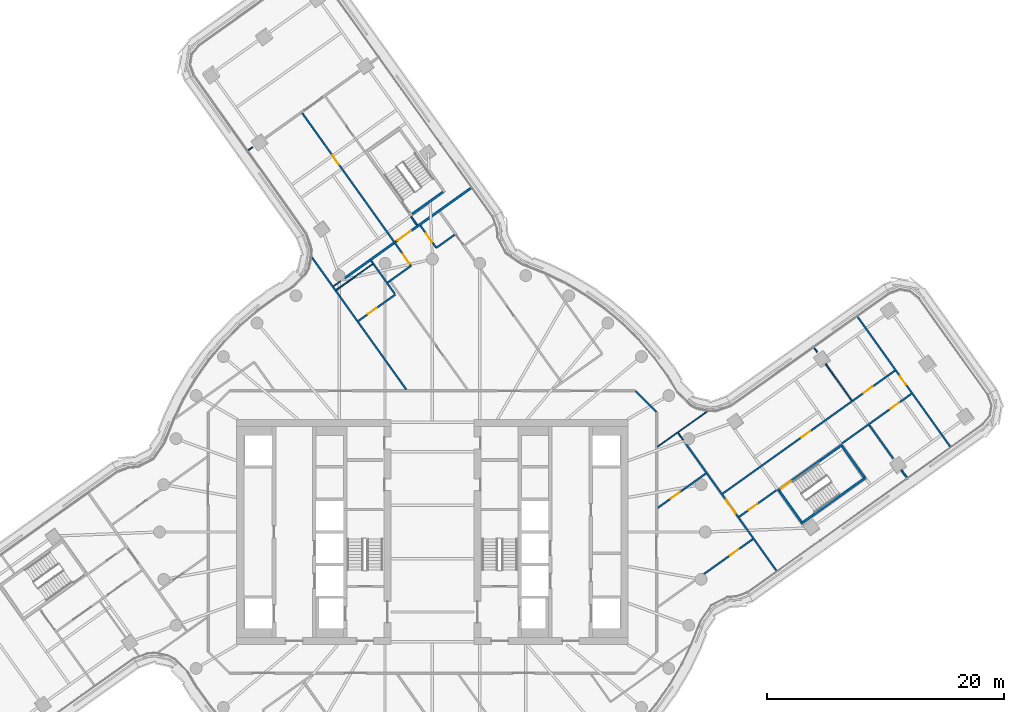
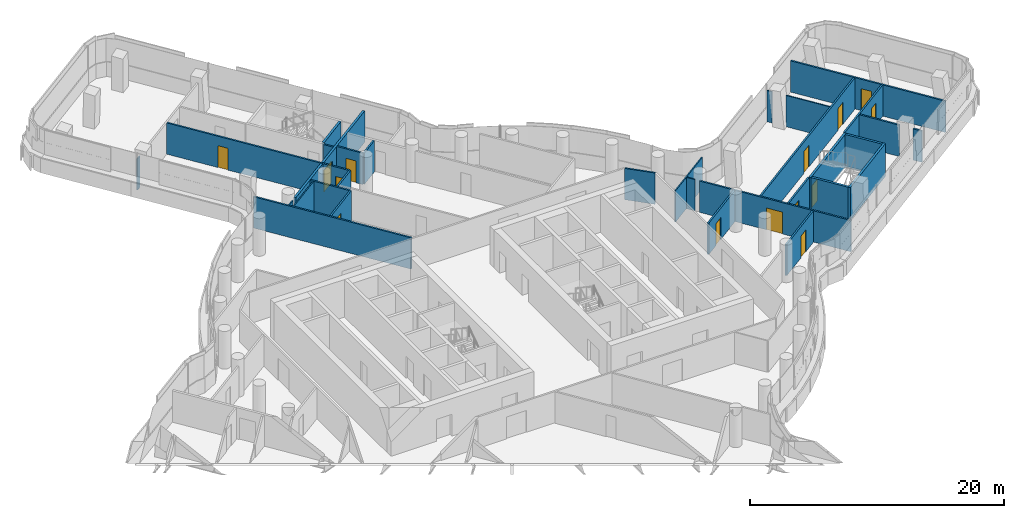
# One storey, part 22 of 31: 31 walls, 14 doors, 14 openings.
"""IFC4 building model written with IfcOpenShell, lengths in metres."""

from ifc_helpers import new_model, si_unit, direction, frame, frame_2d, origin, place, context, subcontext, project, spatial, polyline, rectangle, outline, extrude, material, layer, layer_set, type_object, element, fill, save


model = new_model("IFC4")

# Units and contexts
model_context = context("Model", 3, precision=1e-05, world=origin(), true_north=direction((0.0, 1.0)))
body_context = subcontext(model_context, "Body", "Model", "MODEL_VIEW")
ifc_project = project(units=[si_unit("LENGTHUNIT", "METRE"), si_unit("AREAUNIT", "SQUARE_METRE"), si_unit("VOLUMEUNIT", "CUBIC_METRE"), si_unit("PLANEANGLEUNIT", "RADIAN"), si_unit("MASSUNIT", "GRAM", prefix="KILO")], contexts=[model_context])

# Site, building, storey
site_placement = place(None, origin())
site = spatial("IfcSite", under=ifc_project, at=site_placement, CompositionType="ELEMENT")
building_placement = place(site_placement, origin())
building = spatial("IfcBuilding", under=site, at=building_placement, Name="Tamarind Cross Interchange Tower", CompositionType="ELEMENT")
storey_placement = place(building_placement, frame((0.0, 0.0, 163.0)))
storey = spatial("IfcBuildingStorey", under=building, at=storey_placement, Name="L40", CompositionType="ELEMENT", Elevation=163.0)

# Walls
ifc_material_1 = material(Name="Gypsum board partition on steel studs", Category="steel")
ifc_layer_1 = layer(ifc_material_1, 0.10009765625)
ifc_layer_set_1 = layer_set([ifc_layer_1], Name="Gypsum board partition on steel studs")
wall_type_1 = type_object("IfcWallType", Name="Partition 100 mm EI 90", PredefinedType="PARTITIONING", material=ifc_layer_set_1)
wall_1_placement = place(storey_placement, frame((20.7060546875, 8.352294921875, 0.0), z_axis=(0.0, 0.0, 1.0), x_axis=(0.58101820206, -0.813890563206, 0.0)))
element("IfcWall", 1, at=wall_1_placement, inside=storey, type_object=wall_type_1, Name="Partition L40-027", PredefinedType="PARTITIONING", context=body_context, shape_type="SweptSolid", body=[
    extrude(rectangle(XDim=0.73486328125, YDim=0.10009765625, at=frame_2d((0.367431640625, 0.0))), origin(), (0.0, 0.0, 1.0), 3.010009765625),
])
wall_2_placement = place(storey_placement, frame((32.177734375, 15.51904296875, 0.0), z_axis=(0.0, 0.0, 1.0), x_axis=(0.580983730489, -0.813915170584, 0.0)))
element("IfcWall", 2, at=wall_2_placement, inside=storey, type_object=wall_type_1, Name="Partition L40-029", PredefinedType="PARTITIONING", context=body_context, shape_type="SweptSolid", body=[
    extrude(rectangle(XDim=0.453857421875, YDim=0.10009765625, at=frame_2d((0.22705078125, 0.0))), origin(), (0.0, 0.0, 1.0), 3.010009765625),
])
wall_3_placement = place(storey_placement, frame((33.135498046875, 14.17724609375, 0.0), z_axis=(0.0, 0.0, 1.0), x_axis=(0.581018985174, -0.813890004157, 0.0)))
element("IfcWall", 3, at=wall_3_placement, inside=storey, type_object=wall_type_1, Name="Partition L40-030", PredefinedType="PARTITIONING", context=body_context, shape_type="SweptSolid", body=[
    extrude(rectangle(XDim=3.79296875, YDim=0.10009765625, at=frame_2d((1.896484375, 0.0))), origin(), (0.0, 0.0, 1.0), 3.010009765625),
])
wall_4_placement = place(storey_placement, frame((-15.51904296875, 32.177734375, 0.0), z_axis=(0.0, 0.0, 1.0), x_axis=(0.813915170584, 0.580983730489, 0.0)))
element("IfcWall", 4, at=wall_4_placement, inside=storey, type_object=wall_type_1, Name="Partition L40-049", PredefinedType="PARTITIONING", context=body_context, shape_type="SweptSolid", body=[
    extrude(rectangle(XDim=0.453857421875, YDim=0.10009765625, at=frame_2d((0.22705078125, 0.0))), origin(), (0.0, 0.0, 1.0), 3.010009765625),
])
wall_5_placement = place(storey_placement, frame((-8.10009765625, 20.39453125, 0.0), z_axis=(0.0, 0.0, 1.0), x_axis=(0.813865417851, 0.581053424072, 0.0)))
element("IfcWall", 5, at=wall_5_placement, inside=storey, type_object=wall_type_1, Name="Partition L40-052", PredefinedType="PARTITIONING", context=body_context, shape_type="SweptSolid", body=[
    extrude(rectangle(XDim=3.75, YDim=0.10009765625, at=frame_2d((1.875, 0.0))), origin(), (0.0, 0.0, 1.0), 3.010009765625),
])
wall_6_placement = place(storey_placement, frame((-8.331298828125, 20.7197265625, 0.0), z_axis=(0.0, 0.0, 1.0), x_axis=(0.813733471207, 0.581238193719, 0.0)))
element("IfcWall", 6, at=wall_6_placement, inside=storey, type_object=wall_type_1, Name="Partition L40-055", PredefinedType="PARTITIONING", context=body_context, shape_type="SweptSolid", body=[
    extrude(rectangle(XDim=0.7119140625, YDim=0.10009765625, at=frame_2d((0.35595703125, 0.0))), origin(), (0.0, 0.0, 1.0), 3.010009765625),
])
wall_7_placement = place(storey_placement, frame((18.985595703125, 7.18603515625, 0.0), z_axis=(0.0, 0.0, 1.0), x_axis=(0.814008739191, 0.580852625474, 0.0)))
element("IfcWall", 7, at=wall_7_placement, inside=storey, type_object=wall_type_1, Name="Partition L40-071", PredefinedType="PARTITIONING", context=body_context, shape_type="SweptSolid", body=[
    extrude(rectangle(XDim=5.092041015625, YDim=0.10009765625, at=frame_2d((2.5458984375, 0.0))), origin(), (0.0, 0.0, 1.0), 3.010009765625),
])

# Wall, openings, doors
ifc_layer_2 = layer(ifc_material_1, 0.14990234375)
ifc_layer_set_2 = layer_set([ifc_layer_2], Name="Gypsum board partition on steel studs")
wall_type_2 = type_object("IfcWallType", Name="Partition 150 mm EI 120", PredefinedType="PARTITIONING", material=ifc_layer_set_2)
wall_8_placement = place(storey_placement, frame((-10.982421875, 35.31787109375, 0.0), z_axis=(0.0, 0.0, 1.0), x_axis=(0.581048167979, -0.813869170376, 0.0)))
wall_8 = element("IfcWall", 8, at=wall_8_placement, inside=storey, type_object=wall_type_2, Name="Partition L40-009", PredefinedType="PARTITIONING", context=body_context, shape_type="SweptSolid", body=[
    extrude(rectangle(XDim=15.800537109375, YDim=0.14990234375, at=frame_2d((7.900390625, 0.0))), origin(), (0.0, 0.0, 1.0), 3.010009765625),
])
opening_1_placement = place(wall_8_placement, frame((14.62060546875, 0.0, 0.0)))
opening_1 = element("IfcOpeningElement", 9, at=opening_1_placement, cuts=wall_8, Name="Opening D03", PredefinedType="OPENING", context=body_context, shape_type="SweptSolid", body=[
    extrude(rectangle(XDim=1.0, YDim=2.10009765625, at=frame_2d((0.5, 1.050048828125))), frame((0.0, 0.0849609375, 0.0), z_axis=(0.0, -1.0, 0.0), x_axis=(1.0, 0.0, 0.0)), (0.0, 0.0, 1.0), 0.169921875),
])
opening_2_placement = place(wall_8_placement, frame((4.419921875, 0.0, 0.0)))
opening_2 = element("IfcOpeningElement", 10, at=opening_2_placement, cuts=wall_8, Name="Opening D04", PredefinedType="OPENING", context=body_context, shape_type="SweptSolid", body=[
    extrude(rectangle(XDim=0.89990234375, YDim=2.10009765625, at=frame_2d((0.449951171875, 1.050048828125))), frame((0.0, 0.0849609375, 0.0), z_axis=(0.0, -1.0, 0.0), x_axis=(1.0, 0.0, 0.0)), (0.0, 0.0, 1.0), 0.169921875),
])
ifc_material_2 = material(Name="Fire-resisting door set")
door_type_1 = type_object("IfcDoorType", Name="Interior door 1000 x 2100 FD60S", OperationType="SINGLE_SWING_LEFT", PredefinedType="DOOR", material=ifc_material_2)
door_1_placement = place(opening_1_placement, frame((1.0, 0.0, 0.0), z_axis=(0.0, 0.0, 1.0), x_axis=(-1.0, 0.0, 0.0)))
door_1 = element("IfcDoor", 11, at=door_1_placement, inside=storey, type_object=door_type_1, Name="Door D03", OperationType="SINGLE_SWING_RIGHT", OverallHeight=2.10009765625, OverallWidth=1.0, PredefinedType="DOOR", context=body_context, shape_type="SweptSolid", body=[
    extrude(rectangle(XDim=1.0, YDim=2.10009765625, at=frame_2d((0.5, 1.050048828125))), frame((0.0, 0.02490234375, 0.0), z_axis=(0.0, -1.0, 0.0), x_axis=(1.0, 0.0, 0.0)), (0.0, 0.0, 1.0), 0.050048828125),
])
fill(opening_1, door_1)
door_type_2 = type_object("IfcDoorType", Name="Interior door 900 x 2100 FD60S", OperationType="SINGLE_SWING_LEFT", PredefinedType="DOOR", material=ifc_material_2)
door_2_placement = place(opening_2_placement, frame((0.89990234375, 0.0, 0.0), z_axis=(0.0, 0.0, 1.0), x_axis=(-1.0, 0.0, 0.0)))
door_2 = element("IfcDoor", 12, at=door_2_placement, inside=storey, type_object=door_type_2, Name="Door D04", OperationType="SINGLE_SWING_LEFT", OverallHeight=2.10009765625, OverallWidth=0.89990234375, PredefinedType="DOOR", context=body_context, shape_type="SweptSolid", body=[
    extrude(rectangle(XDim=0.89990234375, YDim=2.10009765625, at=frame_2d((0.449951171875, 1.050048828125))), frame((0.0, 0.02490234375, 0.0), z_axis=(0.0, -1.0, 0.0), x_axis=(1.0, 0.0, 0.0)), (0.0, 0.0, 1.0), 0.050048828125),
])
fill(opening_2, door_2)

# Walls
wall_9_placement = place(storey_placement, frame((-10.14404296875, 23.128662109375, 0.0), z_axis=(0.0, 0.0, 1.0), x_axis=(0.581021948815, -0.813887888468, 0.0)))
element("IfcWall", 13, at=wall_9_placement, inside=storey, type_object=wall_type_2, Name="Partition L40-012", PredefinedType="PARTITIONING", context=body_context, shape_type="SweptSolid", body=[
    extrude(rectangle(XDim=13.67138671875, YDim=0.14990234375, at=frame_2d((6.835693359375, 0.0))), origin(), (0.0, 0.0, 1.0), 3.010009765625),
])
wall_10_placement = place(storey_placement, frame((-1.7890625, 26.57177734375, 0.0), z_axis=(0.0, 0.0, 1.0), x_axis=(0.581022214268, -0.813887698965, 0.0)))
element("IfcWall", 14, at=wall_10_placement, inside=storey, type_object=wall_type_2, Name="Partition L40-014", PredefinedType="PARTITIONING", context=body_context, shape_type="SweptSolid", body=[
    extrude(rectangle(XDim=0.85546875, YDim=0.14990234375, at=frame_2d((0.427734375, 0.0))), origin(), (0.0, 0.0, 1.0), 3.010009765625),
])
wall_11_placement = place(storey_placement, frame((-5.161376953125, 22.861328125, 0.0), z_axis=(0.0, 0.0, 1.0), x_axis=(0.581002146179, -0.813902024899, 0.0)))
element("IfcWall", 15, at=wall_11_placement, inside=storey, type_object=wall_type_2, Name="Partition L40-015", PredefinedType="PARTITIONING", context=body_context, shape_type="SweptSolid", body=[
    extrude(rectangle(XDim=3.424560546875, YDim=0.14990234375, at=frame_2d((1.71240234375, 0.0))), origin(), (0.0, 0.0, 1.0), 3.010009765625),
])

# Wall, opening, door
wall_12_placement = place(storey_placement, frame((-1.010009765625, 25.82470703125, 0.0), z_axis=(0.0, 0.0, 1.0), x_axis=(0.58098490275, -0.813914333807, 0.0)))
wall_12 = element("IfcWall", 16, at=wall_12_placement, inside=storey, type_object=wall_type_2, Name="Partition L40-018", PredefinedType="PARTITIONING", context=body_context, shape_type="SweptSolid", body=[
    extrude(rectangle(XDim=2.27978515625, YDim=0.14990234375, at=frame_2d((1.139892578125, 0.0))), origin(), (0.0, 0.0, 1.0), 3.010009765625),
])
opening_3_placement = place(wall_12_placement, frame((0.800048828125, 0.0, 0.0)))
opening_3 = element("IfcOpeningElement", 17, at=opening_3_placement, cuts=wall_12, Name="Opening D09", PredefinedType="OPENING", context=body_context, shape_type="SweptSolid", body=[
    extrude(rectangle(XDim=0.89990234375, YDim=2.10009765625, at=frame_2d((0.449951171875, 1.050048828125))), frame((0.0, 0.0849609375, 0.0), z_axis=(0.0, -1.0, 0.0), x_axis=(1.0, 0.0, 0.0)), (0.0, 0.0, 1.0), 0.169921875),
])
door_3_placement = place(opening_3_placement, origin())
door_3 = element("IfcDoor", 18, at=door_3_placement, inside=storey, type_object=door_type_2, Name="Door D09", OperationType="SINGLE_SWING_LEFT", OverallHeight=2.10009765625, OverallWidth=0.89990234375, PredefinedType="DOOR", context=body_context, shape_type="SweptSolid", body=[
    extrude(rectangle(XDim=0.89990234375, YDim=2.10009765625, at=frame_2d((0.449951171875, 1.050048828125))), frame((0.0, 0.02490234375, 0.0), z_axis=(0.0, -1.0, 0.0), x_axis=(1.0, 0.0, 0.0)), (0.0, 0.0, 1.0), 0.050048828125),
])
fill(opening_3, door_3)

wall_13_placement = place(storey_placement, frame((21.37060546875, 7.42138671875, 0.0), z_axis=(0.0, 0.0, 1.0), x_axis=(0.581007311964, -0.813898337291, 0.0)))
wall_13 = element("IfcWall", 19, at=wall_13_placement, inside=storey, type_object=wall_type_2, Name="Partition L40-028", PredefinedType="PARTITIONING", context=body_context, shape_type="SweptSolid", body=[
    extrude(rectangle(XDim=13.104736328125, YDim=0.14990234375, at=frame_2d((6.55224609375, 0.0))), origin(), (0.0, 0.0, 1.0), 3.010009765625),
])
opening_4_placement = place(wall_13_placement, frame((5.805908203125, 0.0, 0.0)))
opening_4 = element("IfcOpeningElement", 20, at=opening_4_placement, cuts=wall_13, Name="Opening D18", PredefinedType="OPENING", context=body_context, shape_type="SweptSolid", body=[
    extrude(rectangle(XDim=1.39990234375, YDim=2.10009765625, at=frame_2d((0.699951171875, 1.050048828125))), frame((0.0, 0.0849609375, 0.0), z_axis=(0.0, -1.0, 0.0), x_axis=(1.0, 0.0, 0.0)), (0.0, 0.0, 1.0), 0.169921875),
])
door_type_3 = type_object("IfcDoorType", Name="Interior door 1400 x 2100 FD60S", OperationType="DOUBLE_DOOR_SINGLE_SWING", PredefinedType="DOOR", material=ifc_material_2)
door_4_placement = place(opening_4_placement, frame((1.39990234375, 0.0, 0.0), z_axis=(0.0, 0.0, 1.0), x_axis=(-1.0, 0.0, 0.0)))
door_4 = element("IfcDoor", 21, at=door_4_placement, inside=storey, type_object=door_type_3, Name="Door D18", OperationType="DOUBLE_DOOR_SINGLE_SWING", OverallHeight=2.10009765625, OverallWidth=1.39990234375, PredefinedType="DOOR", context=body_context, shape_type="SweptSolid", body=[
    extrude(rectangle(XDim=1.39990234375, YDim=2.10009765625, at=frame_2d((0.699951171875, 1.050048828125))), frame((0.0, 0.02490234375, 0.0), z_axis=(0.0, -1.0, 0.0), x_axis=(1.0, 0.0, 0.0)), (0.0, 0.0, 1.0), 0.050048828125),
])
fill(opening_4, door_4)

# Walls
wall_14_placement = place(storey_placement, frame((36.82421875, 9.01025390625, 0.0), z_axis=(0.0, 0.0, 1.0), x_axis=(0.58102534961, -0.813885460683, 0.0)))
element("IfcWall", 22, at=wall_14_placement, inside=storey, type_object=wall_type_2, Name="Partition L40-031", PredefinedType="PARTITIONING", context=body_context, shape_type="SweptSolid", body=[
    extrude(rectangle(XDim=3.472412109375, YDim=0.14990234375, at=frame_2d((1.736328125, 0.0))), origin(), (0.0, 0.0, 1.0), 3.010009765625),
])
wall_15_placement = place(storey_placement, frame((39.535888671875, 5.211669921875, 0.0), z_axis=(0.0, 0.0, 1.0), x_axis=(0.581023119466, -0.813887052757, 0.0)))
element("IfcWall", 23, at=wall_15_placement, inside=storey, type_object=wall_type_2, Name="Partition L40-032", PredefinedType="PARTITIONING", context=body_context, shape_type="SweptSolid", body=[
    extrude(rectangle(XDim=0.751708984375, YDim=0.14990234375, at=frame_2d((0.3759765625, 0.0))), origin(), (0.0, 0.0, 1.0), 3.010009765625),
])

# Wall, opening, door
wall_16_placement = place(storey_placement, frame((35.845703125, 18.125, 0.0), z_axis=(0.0, 0.0, 1.0), x_axis=(0.580986648912, -0.813913087366, 0.0)))
wall_16 = element("IfcWall", 24, at=wall_16_placement, inside=storey, type_object=wall_type_2, Name="Partition L40-033", PredefinedType="PARTITIONING", context=body_context, shape_type="SweptSolid", body=[
    extrude(rectangle(XDim=13.40576171875, YDim=0.14990234375, at=frame_2d((6.702880859375, 0.0))), origin(), (0.0, 0.0, 1.0), 3.010009765625),
])
opening_5_placement = place(wall_16_placement, frame((6.106689453125, 0.0, 0.0)))
opening_5 = element("IfcOpeningElement", 25, at=opening_5_placement, cuts=wall_16, Name="Opening D19", PredefinedType="OPENING", context=body_context, shape_type="SweptSolid", body=[
    extrude(rectangle(XDim=0.89990234375, YDim=2.10009765625, at=frame_2d((0.449951171875, 1.050048828125))), frame((0.0, 0.0849609375, 0.0), z_axis=(0.0, -1.0, 0.0), x_axis=(1.0, 0.0, 0.0)), (0.0, 0.0, 1.0), 0.169921875),
])
door_5_placement = place(opening_5_placement, origin())
door_5 = element("IfcDoor", 26, at=door_5_placement, inside=storey, type_object=door_type_2, Name="Door D19", OperationType="SINGLE_SWING_RIGHT", OverallHeight=2.10009765625, OverallWidth=0.89990234375, PredefinedType="DOOR", context=body_context, shape_type="SweptSolid", body=[
    extrude(rectangle(XDim=0.89990234375, YDim=2.10009765625, at=frame_2d((0.449951171875, 1.050048828125))), frame((0.0, 0.02490234375, 0.0), z_axis=(0.0, -1.0, 0.0), x_axis=(1.0, 0.0, 0.0)), (0.0, 0.0, 1.0), 0.050048828125),
])
fill(opening_5, door_5)

# Walls
wall_17_placement = place(storey_placement, frame((17.12841796875, 11.87158203125, 0.0), z_axis=(0.0, 0.0, 1.0), x_axis=(0.707106781187, -0.707106781187, 0.0)))
element("IfcWall", 27, at=wall_17_placement, inside=storey, type_object=wall_type_2, Name="Partition L40-035", PredefinedType="PARTITIONING", context=body_context, shape_type="SweptSolid", body=[
    extrude(rectangle(XDim=2.465087890625, YDim=0.14990234375, at=frame_2d((1.232421875, 0.0))), origin(), (0.0, 0.0, 1.0), 3.010009765625),
])
wall_18_placement = place(storey_placement, frame((-3.760009765625, 21.036376953125, 0.0), z_axis=(0.0, 0.0, 1.0), x_axis=(0.814210336766, 0.580570002241, 0.0)))
element("IfcWall", 28, at=wall_18_placement, inside=storey, type_object=wall_type_2, Name="Partition L40-039", PredefinedType="PARTITIONING", context=body_context, shape_type="SweptSolid", body=[
    extrude(rectangle(XDim=2.420166015625, YDim=0.14990234375, at=frame_2d((1.2099609375, 0.0))), origin(), (0.0, 0.0, 1.0), 3.010009765625),
])
wall_19_placement = place(storey_placement, frame((0.327392578125, 23.951171875, 0.0), z_axis=(0.0, 0.0, 1.0), x_axis=(0.814245381544, 0.580520851162, 0.0)))
element("IfcWall", 29, at=wall_19_placement, inside=storey, type_object=wall_type_2, Name="Partition L40-040", PredefinedType="PARTITIONING", context=body_context, shape_type="SweptSolid", body=[
    extrude(rectangle(XDim=1.900146484375, YDim=0.14990234375, at=frame_2d((0.9501953125, 0.0))), origin(), (0.0, 0.0, 1.0), 3.010009765625),
])

# Wall, opening, door
wall_20_placement = place(storey_placement, frame((-6.23681640625, 17.79345703125, 0.0), z_axis=(0.0, 0.0, 1.0), x_axis=(0.813875956833, 0.58103866213, 0.0)))
wall_20 = element("IfcWall", 30, at=wall_20_placement, inside=storey, type_object=wall_type_2, Name="Partition L40-053", PredefinedType="PARTITIONING", context=body_context, shape_type="SweptSolid", body=[
    extrude(rectangle(XDim=3.81982421875, YDim=0.14990234375, at=frame_2d((1.909912109375, 0.0))), origin(), (0.0, 0.0, 1.0), 3.010009765625),
])
opening_6_placement = place(wall_20_placement, frame((0.969970703125, 0.0, 0.0)))
opening_6 = element("IfcOpeningElement", 31, at=opening_6_placement, cuts=wall_20, Name="Opening D32", PredefinedType="OPENING", context=body_context, shape_type="SweptSolid", body=[
    extrude(rectangle(XDim=0.89990234375, YDim=2.10009765625, at=frame_2d((0.449951171875, 1.050048828125))), frame((0.0, 0.0849609375, 0.0), z_axis=(0.0, -1.0, 0.0), x_axis=(1.0, 0.0, 0.0)), (0.0, 0.0, 1.0), 0.169921875),
])
door_6_placement = place(opening_6_placement, origin())
door_6 = element("IfcDoor", 32, at=door_6_placement, inside=storey, type_object=door_type_2, Name="Door D32", OperationType="SINGLE_SWING_RIGHT", OverallHeight=2.10009765625, OverallWidth=0.89990234375, PredefinedType="DOOR", context=body_context, shape_type="SweptSolid", body=[
    extrude(rectangle(XDim=0.89990234375, YDim=2.10009765625, at=frame_2d((0.449951171875, 1.050048828125))), frame((0.0, 0.02490234375, 0.0), z_axis=(0.0, -1.0, 0.0), x_axis=(1.0, 0.0, 0.0)), (0.0, 0.0, 1.0), 0.050048828125),
])
fill(opening_6, door_6)

wall_21_placement = place(storey_placement, frame((22.8837890625, -3.54638671875, 0.0), z_axis=(0.0, 0.0, 1.0), x_axis=(0.813857304892, 0.581064787502, 0.0)))
wall_21 = element("IfcWall", 33, at=wall_21_placement, inside=storey, type_object=wall_type_2, Name="Partition L40-069", PredefinedType="PARTITIONING", context=body_context, shape_type="SweptSolid", body=[
    extrude(rectangle(XDim=5.061279296875, YDim=0.14990234375, at=frame_2d((2.53076171875, 0.0))), origin(), (0.0, 0.0, 1.0), 3.010009765625),
])
opening_7_placement = place(wall_21_placement, frame((2.699951171875, 0.0, 0.0)))
opening_7 = element("IfcOpeningElement", 34, at=opening_7_placement, cuts=wall_21, Name="Opening D36", PredefinedType="OPENING", context=body_context, shape_type="SweptSolid", body=[
    extrude(rectangle(XDim=0.89990234375, YDim=2.10009765625, at=frame_2d((0.449951171875, 1.050048828125))), frame((0.0, 0.0849609375, 0.0), z_axis=(0.0, -1.0, 0.0), x_axis=(1.0, 0.0, 0.0)), (0.0, 0.0, 1.0), 0.169921875),
])
door_7_placement = place(opening_7_placement, frame((0.89990234375, 0.0, 0.0), z_axis=(0.0, 0.0, 1.0), x_axis=(-1.0, 0.0, 0.0)))
door_7 = element("IfcDoor", 35, at=door_7_placement, inside=storey, type_object=door_type_2, Name="Door D36", OperationType="SINGLE_SWING_RIGHT", OverallHeight=2.10009765625, OverallWidth=0.89990234375, PredefinedType="DOOR", context=body_context, shape_type="SweptSolid", body=[
    extrude(rectangle(XDim=0.89990234375, YDim=2.10009765625, at=frame_2d((0.449951171875, 1.050048828125))), frame((0.0, 0.02490234375, 0.0), z_axis=(0.0, -1.0, 0.0), x_axis=(1.0, 0.0, 0.0)), (0.0, 0.0, 1.0), 0.050048828125),
])
fill(opening_7, door_7)

wall_22_placement = place(storey_placement, frame((19.001708984375, 2.03662109375, 0.0), z_axis=(0.0, 0.0, 1.0), x_axis=(0.813849467295, 0.581075764925, 0.0)))
wall_22 = element("IfcWall", 36, at=wall_22_placement, inside=storey, type_object=wall_type_2, Name="Partition L40-070", PredefinedType="PARTITIONING", context=body_context, shape_type="SweptSolid", body=[
    extrude(rectangle(XDim=4.976806640625, YDim=0.14990234375, at=frame_2d((2.48828125, 0.0))), origin(), (0.0, 0.0, 1.0), 3.010009765625),
])
opening_8_placement = place(wall_22_placement, frame((1.375, 0.0, 0.0)))
opening_8 = element("IfcOpeningElement", 37, at=opening_8_placement, cuts=wall_22, Name="Opening D37", PredefinedType="OPENING", context=body_context, shape_type="SweptSolid", body=[
    extrude(rectangle(XDim=0.89990234375, YDim=2.10009765625, at=frame_2d((0.449951171875, 1.050048828125))), frame((0.0, 0.0849609375, 0.0), z_axis=(0.0, -1.0, 0.0), x_axis=(1.0, 0.0, 0.0)), (0.0, 0.0, 1.0), 0.169921875),
])
door_8_placement = place(opening_8_placement, origin())
door_8 = element("IfcDoor", 38, at=door_8_placement, inside=storey, type_object=door_type_2, Name="Door D37", OperationType="SINGLE_SWING_RIGHT", OverallHeight=2.10009765625, OverallWidth=0.89990234375, PredefinedType="DOOR", context=body_context, shape_type="SweptSolid", body=[
    extrude(rectangle(XDim=0.89990234375, YDim=2.10009765625, at=frame_2d((0.449951171875, 1.050048828125))), frame((0.0, 0.02490234375, 0.0), z_axis=(0.0, -1.0, 0.0), x_axis=(1.0, 0.0, 0.0)), (0.0, 0.0, 1.0), 0.050048828125),
])
fill(opening_8, door_8)

# Wall, openings, doors
wall_23_placement = place(storey_placement, frame((24.461181640625, 3.2314453125, 0.0), z_axis=(0.0, 0.0, 1.0), x_axis=(0.81388139954, 0.581031038313, 0.0)))
wall_23 = element("IfcWall", 39, at=wall_23_placement, inside=storey, type_object=wall_type_2, Name="Partition L40-072", PredefinedType="PARTITIONING", context=body_context, shape_type="SweptSolid", body=[
    extrude(rectangle(XDim=17.8388671875, YDim=0.14990234375, at=frame_2d((8.91943359375, 0.0))), origin(), (0.0, 0.0, 1.0), 3.010009765625),
])
opening_9_placement = place(wall_23_placement, frame((8.169921875, 0.0, 0.0)))
opening_9 = element("IfcOpeningElement", 40, at=opening_9_placement, cuts=wall_23, Name="Opening D38", PredefinedType="OPENING", context=body_context, shape_type="SweptSolid", body=[
    extrude(rectangle(XDim=0.89990234375, YDim=2.10009765625, at=frame_2d((0.449951171875, 1.050048828125))), frame((0.0, 0.0849609375, 0.0), z_axis=(0.0, -1.0, 0.0), x_axis=(1.0, 0.0, 0.0)), (0.0, 0.0, 1.0), 0.169921875),
])
opening_10_placement = place(wall_23_placement, frame((14.61962890625, 0.0, 0.0)))
opening_10 = element("IfcOpeningElement", 41, at=opening_10_placement, cuts=wall_23, Name="Opening D39", PredefinedType="OPENING", context=body_context, shape_type="SweptSolid", body=[
    extrude(rectangle(XDim=0.89990234375, YDim=2.10009765625, at=frame_2d((0.449951171875, 1.050048828125))), frame((0.0, 0.0849609375, 0.0), z_axis=(0.0, -1.0, 0.0), x_axis=(1.0, 0.0, 0.0)), (0.0, 0.0, 1.0), 0.169921875),
])
door_9_placement = place(opening_9_placement, origin())
door_9 = element("IfcDoor", 42, at=door_9_placement, inside=storey, type_object=door_type_2, Name="Door D38", OperationType="SINGLE_SWING_RIGHT", OverallHeight=2.10009765625, OverallWidth=0.89990234375, PredefinedType="DOOR", context=body_context, shape_type="SweptSolid", body=[
    extrude(rectangle(XDim=0.89990234375, YDim=2.10009765625, at=frame_2d((0.449951171875, 1.050048828125))), frame((0.0, 0.02490234375, 0.0), z_axis=(0.0, -1.0, 0.0), x_axis=(1.0, 0.0, 0.0)), (0.0, 0.0, 1.0), 0.050048828125),
])
fill(opening_9, door_9)
door_10_placement = place(opening_10_placement, origin())
door_10 = element("IfcDoor", 43, at=door_10_placement, inside=storey, type_object=door_type_2, Name="Door D39", OperationType="SINGLE_SWING_LEFT", OverallHeight=2.10009765625, OverallWidth=0.89990234375, PredefinedType="DOOR", context=body_context, shape_type="SweptSolid", body=[
    extrude(rectangle(XDim=0.89990234375, YDim=2.10009765625, at=frame_2d((0.449951171875, 1.050048828125))), frame((0.0, 0.02490234375, 0.0), z_axis=(0.0, -1.0, 0.0), x_axis=(1.0, 0.0, 0.0)), (0.0, 0.0, 1.0), 0.050048828125),
])
fill(opening_10, door_10)

# Wall, opening, door
wall_24_placement = place(storey_placement, frame((25.85498046875, 1.277587890625, 0.0), z_axis=(0.0, 0.0, 1.0), x_axis=(0.813869502559, 0.581047702693, 0.0)))
wall_24 = element("IfcWall", 44, at=wall_24_placement, inside=storey, type_object=wall_type_2, Name="Partition L40-073", PredefinedType="PARTITIONING", context=body_context, shape_type="SweptSolid", body=[
    extrude(rectangle(XDim=3.8798828125, YDim=0.14990234375, at=frame_2d((1.93994140625, 0.0))), origin(), (0.0, 0.0, 1.0), 3.010009765625),
])
opening_11_placement = place(wall_24_placement, frame((0.969970703125, 0.0, 0.0)))
opening_11 = element("IfcOpeningElement", 45, at=opening_11_placement, cuts=wall_24, Name="Opening D40", PredefinedType="OPENING", context=body_context, shape_type="SweptSolid", body=[
    extrude(rectangle(XDim=0.89990234375, YDim=2.10009765625, at=frame_2d((0.449951171875, 1.050048828125))), frame((0.0, 0.0849609375, 0.0), z_axis=(0.0, -1.0, 0.0), x_axis=(1.0, 0.0, 0.0)), (0.0, 0.0, 1.0), 0.169921875),
])
door_11_placement = place(opening_11_placement, frame((0.89990234375, 0.0, 0.0), z_axis=(0.0, 0.0, 1.0), x_axis=(-1.0, 0.0, 0.0)))
door_11 = element("IfcDoor", 46, at=door_11_placement, inside=storey, type_object=door_type_2, Name="Door D40", OperationType="SINGLE_SWING_LEFT", OverallHeight=2.10009765625, OverallWidth=0.89990234375, PredefinedType="DOOR", context=body_context, shape_type="SweptSolid", body=[
    extrude(rectangle(XDim=0.89990234375, YDim=2.10009765625, at=frame_2d((0.449951171875, 1.050048828125))), frame((0.0, 0.02490234375, 0.0), z_axis=(0.0, -1.0, 0.0), x_axis=(1.0, 0.0, 0.0)), (0.0, 0.0, 1.0), 0.050048828125),
])
fill(opening_11, door_11)

wall_25_placement = place(storey_placement, frame((34.53076171875, 7.471923828125, 0.0), z_axis=(0.0, 0.0, 1.0), x_axis=(0.813848323614, 0.581077366751, 0.0)))
wall_25 = element("IfcWall", 47, at=wall_25_placement, inside=storey, type_object=wall_type_2, Name="Partition L40-074", PredefinedType="PARTITIONING", context=body_context, shape_type="SweptSolid", body=[
    extrude(rectangle(XDim=7.180419921875, YDim=0.14990234375, at=frame_2d((3.59033203125, 0.0))), origin(), (0.0, 0.0, 1.0), 3.010009765625),
])
opening_12_placement = place(wall_25_placement, frame((5.009521484375, 0.0, 0.0)))
opening_12 = element("IfcOpeningElement", 48, at=opening_12_placement, cuts=wall_25, Name="Opening D41", PredefinedType="OPENING", context=body_context, shape_type="SweptSolid", body=[
    extrude(rectangle(XDim=0.89990234375, YDim=2.10009765625, at=frame_2d((0.449951171875, 1.050048828125))), frame((0.0, 0.0849609375, 0.0), z_axis=(0.0, -1.0, 0.0), x_axis=(1.0, 0.0, 0.0)), (0.0, 0.0, 1.0), 0.169921875),
])
door_12_placement = place(opening_12_placement, frame((0.89990234375, 0.0, 0.0), z_axis=(0.0, 0.0, 1.0), x_axis=(-1.0, 0.0, 0.0)))
door_12 = element("IfcDoor", 49, at=door_12_placement, inside=storey, type_object=door_type_2, Name="Door D41", OperationType="SINGLE_SWING_RIGHT", OverallHeight=2.10009765625, OverallWidth=0.89990234375, PredefinedType="DOOR", context=body_context, shape_type="SweptSolid", body=[
    extrude(rectangle(XDim=0.89990234375, YDim=2.10009765625, at=frame_2d((0.449951171875, 1.050048828125))), frame((0.0, 0.02490234375, 0.0), z_axis=(0.0, -1.0, 0.0), x_axis=(1.0, 0.0, 0.0)), (0.0, 0.0, 1.0), 0.050048828125),
])
fill(opening_12, door_12)

ifc_layer_3 = layer(ifc_material_1, 0.199951171875)
ifc_layer_set_3 = layer_set([ifc_layer_3], Name="Gypsum board partition on steel studs")
wall_type_3 = type_object("IfcWallType", Name="Partition 200 mm EI 180", PredefinedType="PARTITIONING", material=ifc_layer_set_3)
wall_26_placement = place(storey_placement, frame((-7.421630859375, 21.369384765625, 0.0), z_axis=(0.0, 0.0, 1.0), x_axis=(0.813698226371, 0.581287533326, 0.0)))
wall_26 = element("IfcWall", 50, at=wall_26_placement, inside=storey, type_object=wall_type_3, Name="Partition L40-056", PredefinedType="PARTITIONING", context=body_context, shape_type="SweptSolid", body=[
    extrude(rectangle(XDim=13.105712890625, YDim=0.199951171875, at=frame_2d((6.552734375, 0.0))), origin(), (0.0, 0.0, 1.0), 3.010009765625),
])
opening_13_placement = place(wall_26_placement, frame((5.506591796875, 0.0, 0.0)))
opening_13 = element("IfcOpeningElement", 51, at=opening_13_placement, cuts=wall_26, Name="Opening D33", PredefinedType="OPENING", context=body_context, shape_type="SweptSolid", body=[
    extrude(rectangle(XDim=1.39990234375, YDim=2.10009765625, at=frame_2d((0.699951171875, 1.050048828125))), frame((0.0, 0.10986328125, 0.0), z_axis=(0.0, -1.0, 0.0), x_axis=(1.0, 0.0, 0.0)), (0.0, 0.0, 1.0), 0.219970703125),
])
door_type_4 = type_object("IfcDoorType", Name="Interior door 1400 x 2100 FD120S", OperationType="DOUBLE_DOOR_SINGLE_SWING", PredefinedType="DOOR", material=ifc_material_2)
door_13_placement = place(opening_13_placement, frame((1.39990234375, 0.0, 0.0), z_axis=(0.0, 0.0, 1.0), x_axis=(-1.0, 0.0, 0.0)))
door_13 = element("IfcDoor", 52, at=door_13_placement, inside=storey, type_object=door_type_4, Name="Door D33", OperationType="DOUBLE_DOOR_SINGLE_SWING", OverallHeight=2.10009765625, OverallWidth=1.39990234375, PredefinedType="DOOR", context=body_context, shape_type="SweptSolid", body=[
    extrude(rectangle(XDim=1.39990234375, YDim=2.10009765625, at=frame_2d((0.699951171875, 1.050048828125))), frame((0.0, 0.02490234375, 0.0), z_axis=(0.0, -1.0, 0.0), x_axis=(1.0, 0.0, 0.0)), (0.0, 0.0, 1.0), 0.050048828125),
])
fill(opening_13, door_13)

ifc_material_3 = material(Name="Concrete C40", Category="concrete")
ifc_layer_4 = layer(ifc_material_3, 0.199951171875)
ifc_layer_set_4 = layer_set([ifc_layer_4], Name="Concrete C40")
wall_type_4 = type_object("IfcWallType", Name="Stair shaft wall 200 mm Concrete C40", PredefinedType="SHEAR", material=ifc_layer_set_4)
wall_27_placement = place(storey_placement, frame((29.103515625, 3.47412109375, -0.139892578125), z_axis=(0.0, 0.0, 1.0), x_axis=(0.813893474933, 0.58101412329, 0.0)))
wall_27 = element("IfcWall", 53, at=wall_27_placement, inside=storey, type_object=wall_type_4, Name="Core wall CWL-L40-ST3-H", PredefinedType="SHEAR", context=body_context, shape_type="SweptSolid", body=[
    extrude(rectangle(XDim=6.699951171875, YDim=0.199951171875, at=frame_2d((3.35009765625, 0.0))), origin(), (0.0, 0.0, 1.0), 3.14990234375),
])
opening_14_placement = place(wall_27_placement, frame((0.35009765625, 0.0, 0.0)))
opening_14 = element("IfcOpeningElement", 54, at=opening_14_placement, cuts=wall_27, Name="Opening ST3L40", PredefinedType="OPENING", context=body_context, shape_type="SweptSolid", body=[
    extrude(rectangle(XDim=1.0, YDim=2.10009765625, at=frame_2d((0.5, 1.050048828125))), frame((0.0, 0.10986328125, 0.0), z_axis=(0.0, -1.0, 0.0), x_axis=(1.0, 0.0, 0.0)), (0.0, 0.0, 1.0), 0.219970703125),
])
ifc_material_4 = material(Name="Steel, fire-resisting", Category="steel")
door_type_5 = type_object("IfcDoorType", Name="Core fire door 1000 x 2100 FD90", OperationType="SINGLE_SWING_LEFT", PredefinedType="DOOR", material=ifc_material_4)
door_14_placement = place(opening_14_placement, origin())
door_14 = element("IfcDoor", 55, at=door_14_placement, inside=storey, type_object=door_type_5, Name="L40 stair door ST3", OperationType="SINGLE_SWING_LEFT", OverallHeight=2.10009765625, OverallWidth=1.0, PredefinedType="DOOR", context=body_context, shape_type="SweptSolid", body=[
    extrude(rectangle(XDim=1.0, YDim=2.10009765625, at=frame_2d((0.5, 1.050048828125))), frame((0.0, 0.02490234375, 0.0), z_axis=(0.0, -1.0, 0.0), x_axis=(1.0, 0.0, 0.0)), (0.0, 0.0, 1.0), 0.050048828125),
])
fill(opening_14, door_14)

# Walls
wall_28_placement = place(storey_placement, frame((31.0791015625, 0.706787109375, -0.139892578125), z_axis=(0.0, 0.0, 1.0), x_axis=(0.813881173523, 0.581031354906, 0.0)))
element("IfcWall", 56, at=wall_28_placement, inside=storey, type_object=wall_type_4, Name="Core wall CWL-L40-ST3-C", PredefinedType="SHEAR", context=body_context, shape_type="SweptSolid", body=[
    extrude(rectangle(XDim=6.699951171875, YDim=0.199951171875, at=frame_2d((3.35009765625, 0.0))), origin(), (0.0, 0.0, 1.0), 3.14990234375),
])
wall_29_placement = place(storey_placement, frame((31.102294921875, 0.84619140625, -0.139892578125), z_axis=(0.0, 0.0, 1.0), x_axis=(-0.580985567777, 0.8139138591, 0.0)))
element("IfcWall", 57, at=wall_29_placement, inside=storey, type_object=wall_type_4, Name="Core wall CWL-L40-ST3-CE", PredefinedType="SHEAR", context=body_context, shape_type="SweptSolid", body=[
    extrude(rectangle(XDim=3.199951171875, YDim=0.199951171875, at=frame_2d((1.60009765625, 0.0))), origin(), (0.0, 0.0, 1.0), 3.14990234375),
])
wall_30_placement = place(storey_placement, frame((0.0, 0.0, -0.139892578125)))
element("IfcWall", 58, at=wall_30_placement, inside=storey, type_object=wall_type_4, Name="Core wall CWL-L40-ST3-CF", PredefinedType="SHEAR", context=body_context, shape_type="SweptSolid", body=[
    extrude(outline(polyline([(36.311279296875, 4.56494140625), (36.47412109375, 4.68115234375), (34.61474609375, 7.285400390625), (34.451904296875, 7.169189453125), (36.311279296875, 4.56494140625)])), origin(), (0.0, 0.0, 1.0), 3.14990234375),
])
wall_31_placement = place(storey_placement, frame((0.896728515625, 28.660888671875, -0.139892578125), z_axis=(0.0, 0.0, 1.0), x_axis=(-0.813852022761, -0.581072185746, 0.0)))
element("IfcWall", 59, at=wall_31_placement, inside=storey, type_object=wall_type_4, Name="Core wall CWL-L40-ST4-CE", PredefinedType="SHEAR", context=body_context, shape_type="SweptSolid", body=[
    extrude(rectangle(XDim=3.199951171875, YDim=0.199951171875, at=frame_2d((1.60009765625, 0.0))), origin(), (0.0, 0.0, 1.0), 3.14990234375),
])

save(model, "model.ifc")
